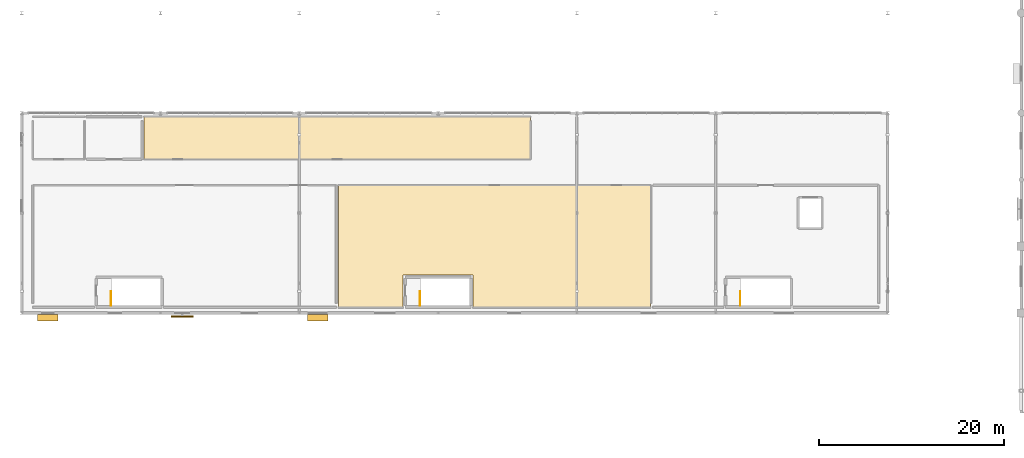
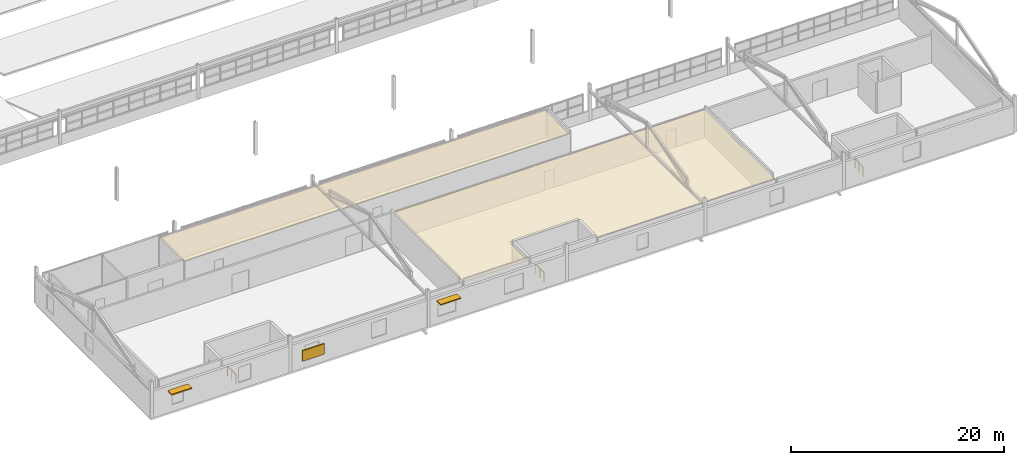
# One storey, part 82 of 90: 3 railings, 3 shading devices, 2 coverings.
"""IFC4 building model written with IfcOpenShell, lengths in metres."""

from ifc_helpers import new_model, si_unit, direction, frame, origin, origin_2d, place, context, subcontext, project, spatial, polyline, rectangle, circle, outline, extrude, material, layer, layer_set, type_object, element, save


model = new_model("IFC4")

# Units and contexts
model_context = context("Model", 3, precision=1e-05, world=origin(), true_north=direction((0.0, 1.0)))
body_context = subcontext(model_context, "Body", "Model", "MODEL_VIEW")
ifc_project = project(units=[si_unit("LENGTHUNIT", "METRE"), si_unit("AREAUNIT", "SQUARE_METRE"), si_unit("VOLUMEUNIT", "CUBIC_METRE"), si_unit("PLANEANGLEUNIT", "RADIAN"), si_unit("MASSUNIT", "GRAM", prefix="KILO")], contexts=[model_context])

# Site, building, storey
site_placement = place(None, origin())
site = spatial("IfcSite", under=ifc_project, at=site_placement, CompositionType="ELEMENT")
building_placement = place(site_placement, origin())
building = spatial("IfcBuilding", under=site, at=building_placement, Name="Solanera Park Tramway Depot", CompositionType="ELEMENT")
storey_placement = place(building_placement, frame((0.0, 0.0, 9.0)))
storey = spatial("IfcBuildingStorey", under=building, at=storey_placement, Name="L02", CompositionType="ELEMENT", Elevation=9.0)

# Coverings
ifc_material_1 = material(Name="Acoustic perforated plasterboard and mineral-fibre ceiling")
ifc_layer_1 = layer(ifc_material_1, 0.02001953125)
ifc_layer_set_1 = layer_set([ifc_layer_1], Name="Acoustic perforated plasterboard and mineral-fibre ceiling")
covering_type = type_object("IfcCoveringType", Name="Acoustic Mineral-Fibre Ceiling 20", PredefinedType="CEILING", material=ifc_layer_set_1)
covering_1_placement = place(storey_placement, frame((0.0, 0.0, 3.14990234375)))
element("IfcCovering", 1, at=covering_1_placement, inside=storey, type_object=covering_type, Name="Overhead Catenary Rigging Training Studio Acoustic Ceiling", PredefinedType="CEILING", context=body_context, shape_type="SweptSolid", body=[
    extrude(outline(polyline([(34.239990234375, 11.43994140625), (34.239990234375, 24.56005859375), (67.9599609375, 24.56005859375), (67.9599609375, 11.43994140625), (48.7900390625, 11.43994140625), (48.7900390625, 14.889892578125), (41.2099609375, 14.889892578125), (41.2099609375, 11.43994140625), (34.239990234375, 11.43994140625)])), origin(), (0.0, 0.0, 1.0), 0.02001953125),
])
covering_2_placement = place(storey_placement, frame((0.0, 0.0, 3.14990234375)))
element("IfcCovering", 2, at=covering_2_placement, inside=storey, type_object=covering_type, Name="Chief Mechanical Engineer Suite Acoustic Ceiling", PredefinedType="CEILING", context=body_context, shape_type="SweptSolid", body=[
    extrude(outline(polyline([(54.9599609375, 27.43994140625), (13.239990234375, 27.43994140625), (13.239990234375, 31.9599609375), (54.9599609375, 31.9599609375), (54.9599609375, 27.43994140625)])), origin(), (0.0, 0.0, 1.0), 0.02001953125),
])

# Railings
ifc_material_2 = material(Name="Steel AS/NZS 1163 Grade C350L0", Category="steel")
ifc_layer_2 = layer(ifc_material_2, 0.06005859375)
ifc_layer_set_2 = layer_set([ifc_layer_2], Name="Steel AS/NZS 1163 Grade C350L0")
railing_type = type_object("IfcRailingType", Name="Stairwell Guardrail 1100", PredefinedType="GUARDRAIL", material=ifc_layer_set_2)
for number, where, name in (
    (3, (9.64990234375, 11.60009765625, 0.0), "ST-08 Top Landing Guard 1"),
    (4, (77.64990234375, 11.60009765625, 0.0), "ST-09 Top Landing Guard 1"),
    (5, (43.050048828125, 11.60009765625, 0.0), "ST-12 Top Landing Guard 1"),
):
    element("IfcRailing", number, at=place(storey_placement, frame(where)), inside=storey, type_object=railing_type, Name=name, PredefinedType="GUARDRAIL", context=body_context, shape_type="SweptSolid", body=[
        extrude(circle(Radius=0.02392578125, at=origin_2d()), frame((0.0, 0.0, 1.076171875), z_axis=(0.0, 1.0, 0.0), x_axis=(-1.0, 0.0, 0.0)), (0.0, 0.0, 1.0), 1.5498046875),
        extrude(circle(Radius=0.02099609375, at=origin_2d()), origin(), (0.0, 0.0, 1.0), 1.052001953125),
        extrude(circle(Radius=0.02099609375, at=origin_2d()), frame((0.0, 0.77490234375, 0.0)), (0.0, 0.0, 1.0), 1.052001953125),
        extrude(circle(Radius=0.02099609375, at=origin_2d()), frame((0.0, 1.5498046875, 0.0)), (0.0, 0.0, 1.0), 1.052001953125),
    ])

# Shading devices
ifc_material_3 = material(Name="Extruded terracotta brise-soleil hood", Category="masonry")
shading_device_type_1 = type_object("IfcShadingDeviceType", Name="Terracotta Brise-Soleil Sunshade Hood 2200x750", PredefinedType="USERDEFINED", material=ifc_material_3)
for number, where, z_axis, x_axis, name in (
    (6, (2.824951171875, 10.284912109375, 2.47998046875), (0.0, 0.0, 1.0), (1.0, 0.0, 0.0), "Terracotta Brise-Soleil Sunshade #007"),
    (7, (31.97509765625, 10.284912109375, 2.579833984375), (0.0, 0.0, 1.0), (1.0, 0.0, 0.0), "Terracotta Brise-Soleil Sunshade #009"),
):
    element("IfcShadingDevice", number, at=place(storey_placement, frame(where, z_axis=z_axis, x_axis=x_axis)), inside=storey, type_object=shading_device_type_1, Name=name, ObjectType="SUNSHADE", PredefinedType="USERDEFINED", context=body_context, shape_type="SweptSolid", body=[
        extrude(rectangle(XDim=2.199951171875, YDim=0.75, at=origin_2d()), origin(), (0.0, 0.0, 1.0), 0.1201171875),
    ])
ifc_material_4 = material(Name="Powder-coated aluminium aerofoil louvre", Category="aluminium")
shading_device_type_2 = type_object("IfcShadingDeviceType", Name="Timber-Look Aluminium Jalousie Louvre 2400x1200", PredefinedType="JALOUSIE", material=ifc_material_4)
shading_device_placement = place(storey_placement, frame((17.35009765625, 10.419921875, 1.05517578125), z_axis=(0.0, 0.0, 1.0), x_axis=(1.0, 0.0, 0.0)))
element("IfcShadingDevice", 8, at=shading_device_placement, inside=storey, type_object=shading_device_type_2, Name="Jalousie Louvre Screen #008", PredefinedType="JALOUSIE", context=body_context, shape_type="SweptSolid", body=[
    extrude(rectangle(XDim=2.39990234375, YDim=0.1201171875, at=origin_2d()), origin(), (0.0, 0.0, 1.0), 1.199951171875),
])

save(model, "model.ifc")
